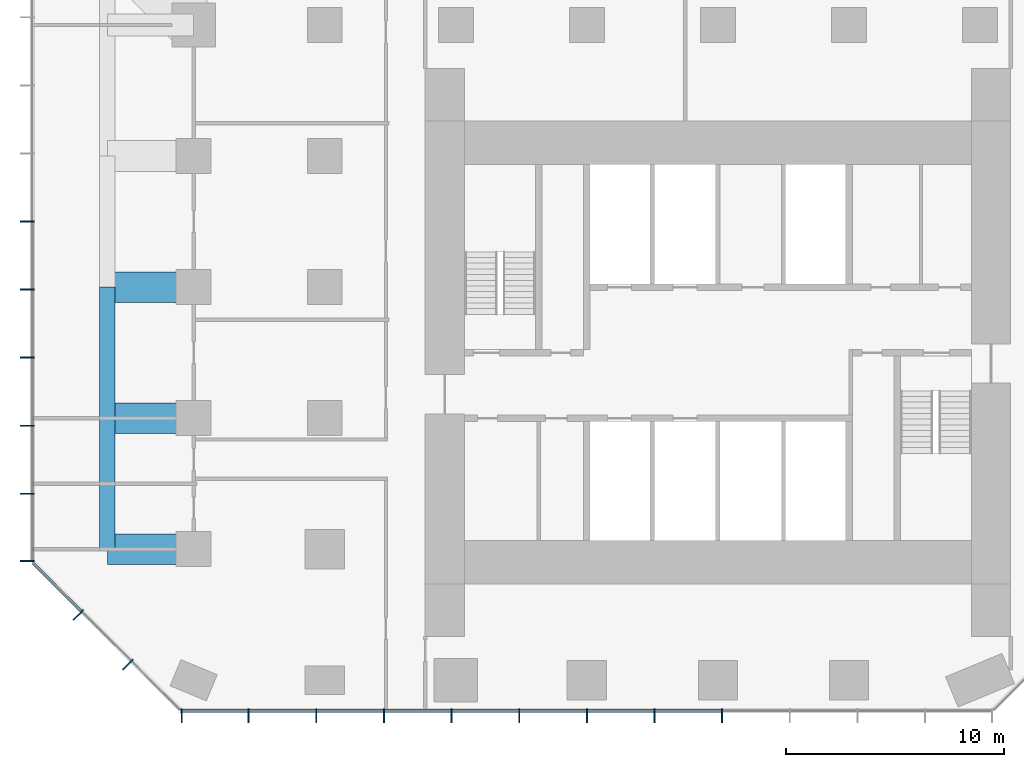
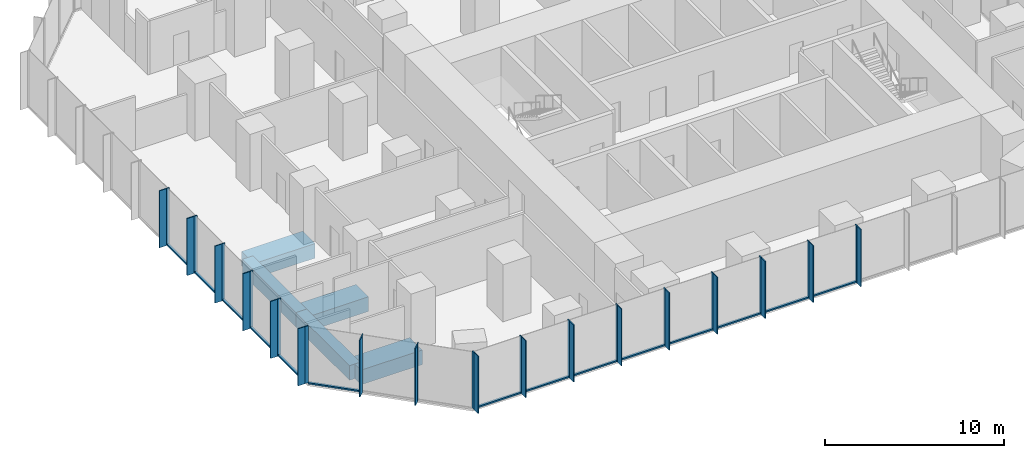
# One storey, part 2 of 12: 48 members, 5 beams, 3 elements without a shape of their own.
"""IFC4 building model written with IfcOpenShell, lengths in metres."""

import ifcopenshell
import ifcopenshell.guid

model = None  # the IFC model being written
_history = None  # IfcOwnerHistory: only IFC2X3 demands one
_inside = {}  # id of a spatial element -> (the spatial element, [elements in it])
_under = {}  # id of a project, library or spatial element -> (it, [spatial elements below it])
_declared = {}  # id of a project -> (the project, [libraries it declares])
_typed = {}  # id of a type object -> (the type object, [elements of that type])
_made_of = {}  # id of a material, layer set ... -> (it, [elements and type objects made of it])


def new_model(schema):
    """Start an empty IFC model of exactly this schema.

    Asked for "IFC4X3", IfcOpenShell would pick the latest addendum, in which some entities
    have other attributes; the version numbers below select the first issue.
    IFC2X3 requires an IfcOwnerHistory on every rooted entity: one is made here for all.
    """
    global model, _history
    if schema == "IFC4X3":
        model = ifcopenshell.file(schema_version=(4, 3, 0, 0))
    else:
        model = ifcopenshell.file(schema=schema)
    _inside.clear()
    _under.clear()
    _declared.clear()
    _typed.clear()
    _made_of.clear()
    _history = None
    if model.schema == "IFC2X3":
        org = make("IfcOrganization", Name="unknown")
        user = make(
            "IfcPersonAndOrganization",
            ThePerson=make("IfcPerson", FamilyName="unknown"),
            TheOrganization=org,
        )
        app = make(
            "IfcApplication",
            ApplicationDeveloper=org,
            Version="unknown",
            ApplicationFullName="unknown",
            ApplicationIdentifier="unknown",
        )
        _history = make(
            "IfcOwnerHistory",
            OwningUser=user,
            OwningApplication=app,
            ChangeAction="ADDED",
            CreationDate=0,
        )
    return model


def make(cls, **values):
    """One entity of the class cls with the attributes given. An attribute that is None is left unset."""
    return model.create_entity(
        cls, **{name: value for name, value in values.items() if value is not None}
    )


def rooted(cls, **values):
    """An entity with a GlobalId (a new one), such as an element, a storey or a relation."""
    return make(cls, GlobalId=ifcopenshell.guid.new(), OwnerHistory=_history, **values)


def si_unit(unit_type, name, prefix=None):
    """IfcSIUnit, for example si_unit("LENGTHUNIT", "METRE", prefix="MILLI")."""
    return make("IfcSIUnit", UnitType=unit_type, Prefix=prefix, Name=name)


def assignment(units):
    """IfcUnitAssignment: the units of a project."""
    return None if units is None else make("IfcUnitAssignment", Units=units)


def point(xyz):
    """IfcCartesianPoint."""
    return None if xyz is None else make("IfcCartesianPoint", Coordinates=xyz)


def direction(xyz):
    """IfcDirection."""
    return None if xyz is None else make("IfcDirection", DirectionRatios=xyz)


def frame(location, z_axis=None, x_axis=None):
    """IfcAxis2Placement3D, a coordinate frame: its origin and axes. An axis left out is left unset."""
    return make(
        "IfcAxis2Placement3D",
        Location=point(location),
        Axis=direction(z_axis),
        RefDirection=direction(x_axis),
    )


def frame_2d(location, x_axis=None):
    """IfcAxis2Placement2D, a coordinate frame in the plane: its origin and x axis."""
    return make(
        "IfcAxis2Placement2D", Location=point(location), RefDirection=direction(x_axis)
    )


def origin():
    """The frame at (0, 0, 0) with its axes left unset."""
    return frame((0.0, 0.0, 0.0))


def origin_2d():
    """The frame at (0, 0) in the plane with its x axis left unset."""
    return frame_2d((0.0, 0.0))


def place(relative_to, where):
    """IfcLocalPlacement: puts the frame where relative to a parent placement (None: the world)."""
    return make(
        "IfcLocalPlacement", PlacementRelTo=relative_to, RelativePlacement=where
    )


def context(
    kind, dimensions, precision=None, world=None, true_north=None, identifier=None
):
    """IfcGeometricRepresentationContext, for example the 3D "Model" context."""
    return make(
        "IfcGeometricRepresentationContext",
        ContextIdentifier=identifier,
        ContextType=kind,
        CoordinateSpaceDimension=dimensions,
        Precision=precision,
        WorldCoordinateSystem=world,
        TrueNorth=true_north,
    )


def subcontext(parent, identifier, kind, view, scale=None):
    """IfcGeometricRepresentationSubContext, for example "Body" below "Model"."""
    return make(
        "IfcGeometricRepresentationSubContext",
        ContextIdentifier=identifier,
        ContextType=kind,
        ParentContext=parent,
        TargetScale=scale,
        TargetView=view,
    )


def project(units=None, contexts=None):
    """IfcProject with its units and contexts."""
    return rooted(
        "IfcProject",
        Name="project",
        RepresentationContexts=contexts,
        UnitsInContext=assignment(units),
    )


def spatial(cls, under=None, at=None, **own):
    """A site, building, storey or space (cls), placed at a placement, below another one or the project."""
    s = rooted(cls, ObjectPlacement=at, **own)
    if under is not None:
        _under.setdefault(under.id(), (under, []))[1].append(s)
    return s


def profile(cls, at=None, kind="AREA", **sizes):
    """A parametric profile (cls). Its sizes go by their IFC names, for example OverallWidth=200.0."""
    return make(cls, ProfileType=kind, Position=at, **sizes)


def rectangle(**sizes):
    """IfcRectangleProfileDef."""
    return profile("IfcRectangleProfileDef", **sizes)


def extrude(swept, where, along, depth):
    """IfcExtrudedAreaSolid: the profile swept, set in the frame where, extruded along a direction by depth."""
    return make(
        "IfcExtrudedAreaSolid",
        SweptArea=swept,
        Position=where,
        ExtrudedDirection=direction(along),
        Depth=depth,
    )


def shape(context_of_items, identifier, shape_type, items):
    """IfcShapeRepresentation: the items that make up one representation, for example the "Body"."""
    return make(
        "IfcShapeRepresentation",
        ContextOfItems=context_of_items,
        RepresentationIdentifier=identifier,
        RepresentationType=shape_type,
        Items=items,
    )


def material(Name=None, Category=None):
    """IfcMaterial."""
    return make("IfcMaterial", Name=Name, Category=Category)


def layer(
    of_material, thickness, ventilated=None, Name=None, Category=None, Priority=None
):
    """IfcMaterialLayer: one layer of a wall or slab, of a material (None: an air gap)."""
    return make(
        "IfcMaterialLayer",
        Material=of_material,
        LayerThickness=thickness,
        IsVentilated=ventilated,
        Name=Name,
        Category=Category,
        Priority=Priority,
    )


def layer_set(layers, Name=None):
    """IfcMaterialLayerSet."""
    return make("IfcMaterialLayerSet", MaterialLayers=layers, LayerSetName=Name)


def material_profile(
    of_material, cross_section, Name=None, Category=None, Priority=None
):
    """IfcMaterialProfile: a cross section and its material."""
    return make(
        "IfcMaterialProfile",
        Name=Name,
        Material=of_material,
        Profile=cross_section,
        Priority=Priority,
        Category=Category,
    )


def profile_set(profiles, Name=None, composite=None):
    """IfcMaterialProfileSet."""
    return make(
        "IfcMaterialProfileSet",
        Name=Name,
        MaterialProfiles=profiles,
        CompositeProfile=composite,
    )


def made_of(thing, what):
    """Note that an element or type object is made of a material, layer set ...; save() writes the relation."""
    if what is not None:
        _made_of.setdefault(what.id(), (what, []))[1].append(thing)
    return thing


def type_object(cls, material=None, **own):
    """A type object (cls), such as IfcWallType, which elements share."""
    return made_of(rooted(cls, **own), material)


def element(
    cls,
    number,
    at=None,
    inside=None,
    cuts=None,
    type_object=None,
    material=None,
    context=None,
    identifier="Body",
    shape_type=None,
    held_by="IfcProductDefinitionShape",
    body=None,
    shapes=None,
    **own,
):
    """One element of the class cls, such as IfcWall. Its Tag is "e" and its number.

    at: its placement. inside: the storey or other place that contains it. cuts: it is an
    opening in that element (IfcRelVoidsElement). A single representation is given by context,
    identifier, shape_type and body (its items); several are given by shapes. held_by: the class
    of the entity that holds the representations. save() writes the other relations.
    """
    e = rooted(cls, Tag="e%d" % number, ObjectPlacement=at, **own)
    if body is not None:
        shapes = [shape(context, identifier, shape_type, body)]
    if shapes is not None:
        e.Representation = make(held_by, Representations=shapes)
    if inside is not None:
        _inside.setdefault(inside.id(), (inside, []))[1].append(e)
    if cuts is not None:
        rooted(
            "IfcRelVoidsElement", RelatingBuildingElement=cuts, RelatedOpeningElement=e
        )
    if type_object is not None:
        _typed.setdefault(type_object.id(), (type_object, []))[1].append(e)
    return made_of(e, material)


def aggregate(whole, parts):
    """IfcRelAggregates: a whole, such as a stair, and the parts it consists of."""
    return rooted("IfcRelAggregates", RelatingObject=whole, RelatedObjects=parts)


def save(model, path):
    """Write the relations noted so far, then the file.

    IfcRelAggregates (storeys below a building ...), IfcRelContainedInSpatialStructure (elements
    in a storey), IfcRelDefinesByType, IfcRelAssociatesMaterial and IfcRelDeclares: one each for
    every whole, place, type object, material and project.
    """
    for whole, parts in _under.values():
        aggregate(whole, parts)
    for where, things in _inside.values():
        rooted(
            "IfcRelContainedInSpatialStructure",
            RelatedElements=things,
            RelatingStructure=where,
        )
    for kind, things in _typed.values():
        rooted("IfcRelDefinesByType", RelatedObjects=things, RelatingType=kind)
    for what, things in _made_of.values():
        rooted("IfcRelAssociatesMaterial", RelatedObjects=things, RelatingMaterial=what)
    for by, libraries in _declared.values():
        rooted("IfcRelDeclares", RelatingContext=by, RelatedDefinitions=libraries)
    model.write(path)


model = new_model("IFC4")

# Units and contexts
model_context = context("Model", 3, precision=1e-05, world=origin(), true_north=direction((0.0, 1.0)))
body_context = subcontext(model_context, "Body", "Model", "MODEL_VIEW")
ifc_project = project(units=[si_unit("LENGTHUNIT", "METRE"), si_unit("AREAUNIT", "SQUARE_METRE"), si_unit("VOLUMEUNIT", "CUBIC_METRE"), si_unit("PLANEANGLEUNIT", "RADIAN"), si_unit("MASSUNIT", "GRAM", prefix="KILO")], contexts=[model_context])

# Site, building, storey
site_placement = place(None, origin())
site = spatial("IfcSite", under=ifc_project, at=site_placement, CompositionType="ELEMENT")
building_placement = place(site_placement, origin())
building = spatial("IfcBuilding", under=site, at=building_placement, Name="Highveld Stack Headquarters", CompositionType="ELEMENT")
storey_placement = place(building_placement, frame((0.0, 0.0, 101.60009765625)))
storey = spatial("IfcBuildingStorey", under=building, at=storey_placement, Name="L24", CompositionType="ELEMENT", Elevation=101.60009765625)

# Beams
ifc_material_1 = material(Name="Concrete C60/75", Category="concrete")
ifc_material_profile_1 = material_profile(ifc_material_1, rectangle(XDim=1.39990234375, YDim=1.0, at=origin_2d()), Name="RC 1400x1000")
ifc_profile_set_1 = profile_set([ifc_material_profile_1], Name="Concrete C60/75")
beam_type_1 = type_object("IfcBeamType", Name="CANTILEVER RIB RC 1400x1000", PredefinedType="USERDEFINED", material=ifc_profile_set_1)
for number, where, z_axis, x_axis, name in (
    (1, (-18.0, -6.0, -0.75), (-1.0, 0.0, 0.0), (0.0, -1.0, 0.0), "Cantilever rib 3/D L24"),
    (2, (-18.0, 0.0, -0.75), (-1.0, 0.0, 0.0), (0.0, -1.0, 0.0), "Cantilever rib 3/E L24"),
    (3, (-18.0, 6.0, -0.75), (-1.0, 0.0, 0.0), (0.0, -1.0, 0.0), "Cantilever rib 3/F L24"),
):
    element("IfcBeam", number, at=place(storey_placement, frame(where, z_axis=z_axis, x_axis=x_axis)), inside=storey, type_object=beam_type_1, Name=name, ObjectType="CANTILEVER RIB", PredefinedType="USERDEFINED", context=body_context, shape_type="SweptSolid", body=[
        extrude(rectangle(XDim=1.39990234375, YDim=1.0, at=origin_2d()), origin(), (0.0, 0.0, 1.0), 3.949951171875),
    ])

# Curtain wall, members
ifc_material_2 = material(Name="Aluminium bronze anodised", Category="aluminium")
ifc_layer_1 = layer(ifc_material_2, 0.199951171875)
ifc_layer_set_1 = layer_set([ifc_layer_1], Name="Aluminium bronze anodised")
curtain_wall_type_1 = type_object("IfcCurtainWallType", Name="CW1 TOWER UNITISED CURTAIN WALL", PredefinedType="NOTDEFINED", material=ifc_layer_set_1)
curtain_wall_1_placement = place(storey_placement, origin())
curtain_wall_1 = element("IfcCurtainWall", 4, at=curtain_wall_1_placement, inside=storey, type_object=curtain_wall_type_1, Name="Curtain wall CW1 L24 S", PredefinedType="NOTDEFINED")
ifc_material_3 = material(Name="Aluminium bronze anodised", Category="aluminium")
ifc_material_profile_2 = material_profile(ifc_material_3, rectangle(XDim=0.449951171875, YDim=0.06005859375, at=origin_2d()), Name="FIN 450x60")
ifc_profile_set_2 = profile_set([ifc_material_profile_2], Name="Aluminium bronze anodised")
member_type_1 = type_object("IfcMemberType", Name="CW1 BRONZE FIN 450x60", PredefinedType="USERDEFINED", material=ifc_profile_set_2)
member_1_placement = place(storey_placement, frame((-18.54736328125, -13.72509765625, 0.0), z_axis=(0.0, 0.0, 1.0), x_axis=(0.0, 1.0, 0.0)))
member_1 = element("IfcMember", 5, at=member_1_placement, type_object=member_type_1, Name="CW1 fin L24 1", ObjectType="FIN", PredefinedType="USERDEFINED", context=body_context, shape_type="SweptSolid", body=[
    extrude(rectangle(XDim=0.449951171875, YDim=0.06005859375, at=origin_2d()), origin(), (0.0, 0.0, 1.0), 3.89990234375),
])
member_2_placement = place(storey_placement, frame((-15.483154296875, -13.72509765625, 0.0), z_axis=(0.0, 0.0, 1.0), x_axis=(0.0, 1.0, 0.0)))
member_2 = element("IfcMember", 6, at=member_2_placement, type_object=member_type_1, Name="CW1 fin L24 2", ObjectType="FIN", PredefinedType="USERDEFINED", context=body_context, shape_type="SweptSolid", body=[
    extrude(rectangle(XDim=0.449951171875, YDim=0.06005859375, at=origin_2d()), origin(), (0.0, 0.0, 1.0), 3.89990234375),
])
member_3_placement = place(storey_placement, frame((-12.38671875, -13.72509765625, 0.0), z_axis=(0.0, 0.0, 1.0), x_axis=(0.0, 1.0, 0.0)))
member_3 = element("IfcMember", 7, at=member_3_placement, type_object=member_type_1, Name="CW1 fin L24 3", ObjectType="FIN", PredefinedType="USERDEFINED", context=body_context, shape_type="SweptSolid", body=[
    extrude(rectangle(XDim=0.449951171875, YDim=0.06005859375, at=origin_2d()), origin(), (0.0, 0.0, 1.0), 3.89990234375),
])
member_4_placement = place(storey_placement, frame((-9.289794921875, -13.72509765625, 0.0), z_axis=(0.0, 0.0, 1.0), x_axis=(0.0, 1.0, 0.0)))
member_4 = element("IfcMember", 8, at=member_4_placement, type_object=member_type_1, Name="CW1 fin L24 4", ObjectType="FIN", PredefinedType="USERDEFINED", context=body_context, shape_type="SweptSolid", body=[
    extrude(rectangle(XDim=0.449951171875, YDim=0.06005859375, at=origin_2d()), origin(), (0.0, 0.0, 1.0), 3.89990234375),
])
member_5_placement = place(storey_placement, frame((-6.193359375, -13.72509765625, 0.0), z_axis=(0.0, 0.0, 1.0), x_axis=(0.0, 1.0, 0.0)))
member_5 = element("IfcMember", 9, at=member_5_placement, type_object=member_type_1, Name="CW1 fin L24 5", ObjectType="FIN", PredefinedType="USERDEFINED", context=body_context, shape_type="SweptSolid", body=[
    extrude(rectangle(XDim=0.449951171875, YDim=0.06005859375, at=origin_2d()), origin(), (0.0, 0.0, 1.0), 3.89990234375),
])
member_6_placement = place(storey_placement, frame((-3.0966796875, -13.72509765625, 0.0), z_axis=(0.0, 0.0, 1.0), x_axis=(0.0, 1.0, 0.0)))
member_6 = element("IfcMember", 10, at=member_6_placement, type_object=member_type_1, Name="CW1 fin L24 6", ObjectType="FIN", PredefinedType="USERDEFINED", context=body_context, shape_type="SweptSolid", body=[
    extrude(rectangle(XDim=0.449951171875, YDim=0.06005859375, at=origin_2d()), origin(), (0.0, 0.0, 1.0), 3.89990234375),
])
member_7_placement = place(storey_placement, frame((0.0, -13.72509765625, 0.0), z_axis=(0.0, 0.0, 1.0), x_axis=(0.0, 1.0, 0.0)))
member_7 = element("IfcMember", 11, at=member_7_placement, type_object=member_type_1, Name="CW1 fin L24 7", ObjectType="FIN", PredefinedType="USERDEFINED", context=body_context, shape_type="SweptSolid", body=[
    extrude(rectangle(XDim=0.449951171875, YDim=0.06005859375, at=origin_2d()), origin(), (0.0, 0.0, 1.0), 3.89990234375),
])
member_8_placement = place(storey_placement, frame((3.0966796875, -13.72509765625, 0.0), z_axis=(0.0, 0.0, 1.0), x_axis=(0.0, 1.0, 0.0)))
member_8 = element("IfcMember", 12, at=member_8_placement, type_object=member_type_1, Name="CW1 fin L24 8", ObjectType="FIN", PredefinedType="USERDEFINED", context=body_context, shape_type="SweptSolid", body=[
    extrude(rectangle(XDim=0.449951171875, YDim=0.06005859375, at=origin_2d()), origin(), (0.0, 0.0, 1.0), 3.89990234375),
])
member_9_placement = place(storey_placement, frame((6.193359375, -13.72509765625, 0.0), z_axis=(0.0, 0.0, 1.0), x_axis=(0.0, 1.0, 0.0)))
member_9 = element("IfcMember", 13, at=member_9_placement, type_object=member_type_1, Name="CW1 fin L24 9", ObjectType="FIN", PredefinedType="USERDEFINED", context=body_context, shape_type="SweptSolid", body=[
    extrude(rectangle(XDim=0.449951171875, YDim=0.06005859375, at=origin_2d()), origin(), (0.0, 0.0, 1.0), 3.89990234375),
])

curtain_wall_2_placement = place(storey_placement, origin())
curtain_wall_2 = element("IfcCurtainWall", 14, at=curtain_wall_2_placement, inside=storey, type_object=curtain_wall_type_1, Name="Curtain wall CW1 L24 W", PredefinedType="NOTDEFINED")
member_10_placement = place(storey_placement, frame((-25.72509765625, 9.0, 0.0), z_axis=(0.0, 0.0, 1.0), x_axis=(1.0, 0.0, 0.0)))
member_10 = element("IfcMember", 15, at=member_10_placement, type_object=member_type_1, Name="CW1 fin L24 6", ObjectType="FIN", PredefinedType="USERDEFINED", context=body_context, shape_type="SweptSolid", body=[
    extrude(rectangle(XDim=0.449951171875, YDim=0.06005859375, at=origin_2d()), origin(), (0.0, 0.0, 1.0), 3.89990234375),
])
member_11_placement = place(storey_placement, frame((-25.72509765625, 5.884033203125, 0.0), z_axis=(0.0, 0.0, 1.0), x_axis=(1.0, 0.0, 0.0)))
member_11 = element("IfcMember", 16, at=member_11_placement, type_object=member_type_1, Name="CW1 fin L24 7", ObjectType="FIN", PredefinedType="USERDEFINED", context=body_context, shape_type="SweptSolid", body=[
    extrude(rectangle(XDim=0.449951171875, YDim=0.06005859375, at=origin_2d()), origin(), (0.0, 0.0, 1.0), 3.89990234375),
])
member_12_placement = place(storey_placement, frame((-25.72509765625, 2.76806640625, 0.0), z_axis=(0.0, 0.0, 1.0), x_axis=(1.0, 0.0, 0.0)))
member_12 = element("IfcMember", 17, at=member_12_placement, type_object=member_type_1, Name="CW1 fin L24 8", ObjectType="FIN", PredefinedType="USERDEFINED", context=body_context, shape_type="SweptSolid", body=[
    extrude(rectangle(XDim=0.449951171875, YDim=0.06005859375, at=origin_2d()), origin(), (0.0, 0.0, 1.0), 3.89990234375),
])
member_13_placement = place(storey_placement, frame((-25.72509765625, -0.347900390625, 0.0), z_axis=(0.0, 0.0, 1.0), x_axis=(1.0, 0.0, 0.0)))
member_13 = element("IfcMember", 18, at=member_13_placement, type_object=member_type_1, Name="CW1 fin L24 9", ObjectType="FIN", PredefinedType="USERDEFINED", context=body_context, shape_type="SweptSolid", body=[
    extrude(rectangle(XDim=0.449951171875, YDim=0.06005859375, at=origin_2d()), origin(), (0.0, 0.0, 1.0), 3.89990234375),
])
member_14_placement = place(storey_placement, frame((-25.72509765625, -3.4638671875, 0.0), z_axis=(0.0, 0.0, 1.0), x_axis=(1.0, 0.0, 0.0)))
member_14 = element("IfcMember", 19, at=member_14_placement, type_object=member_type_1, Name="CW1 fin L24 10", ObjectType="FIN", PredefinedType="USERDEFINED", context=body_context, shape_type="SweptSolid", body=[
    extrude(rectangle(XDim=0.449951171875, YDim=0.06005859375, at=origin_2d()), origin(), (0.0, 0.0, 1.0), 3.89990234375),
])
member_15_placement = place(storey_placement, frame((-25.72509765625, -6.54736328125, 0.0), z_axis=(0.0, 0.0, 1.0), x_axis=(1.0, 0.0, 0.0)))
member_15 = element("IfcMember", 20, at=member_15_placement, type_object=member_type_1, Name="CW1 fin L24 11", ObjectType="FIN", PredefinedType="USERDEFINED", context=body_context, shape_type="SweptSolid", body=[
    extrude(rectangle(XDim=0.449951171875, YDim=0.06005859375, at=origin_2d()), origin(), (0.0, 0.0, 1.0), 3.89990234375),
])

# Member
ifc_material_4 = material(Name="Aluminium bronze anodised", Category="aluminium")
ifc_material_profile_3 = material_profile(ifc_material_4, rectangle(XDim=0.199951171875, YDim=0.06494140625, at=origin_2d()), Name="CW1 MULLION 65x200")
ifc_profile_set_3 = profile_set([ifc_material_profile_3], Name="Aluminium bronze anodised")
member_type_2 = type_object("IfcMemberType", Name="CW1 MULLION 65x200", PredefinedType="MULLION", material=ifc_profile_set_3)
member_16_placement = place(storey_placement, frame((-18.54736328125, -13.39990234375, 0.0), z_axis=(0.0, 0.0, 1.0), x_axis=(0.0, 1.0, 0.0)))
member_16 = element("IfcMember", 21, at=member_16_placement, type_object=member_type_2, Name="CW1 mullion L24 1", PredefinedType="MULLION", context=body_context, shape_type="SweptSolid", body=[
    extrude(rectangle(XDim=0.199951171875, YDim=0.06494140625, at=origin_2d()), origin(), (0.0, 0.0, 1.0), 3.89990234375),
])

member_17_placement = place(storey_placement, frame((-15.483154296875, -13.39990234375, 0.0), z_axis=(0.0, 0.0, 1.0), x_axis=(0.0, 1.0, 0.0)))
member_17 = element("IfcMember", 22, at=member_17_placement, type_object=member_type_2, Name="CW1 mullion L24 2", PredefinedType="MULLION", context=body_context, shape_type="SweptSolid", body=[
    extrude(rectangle(XDim=0.199951171875, YDim=0.06494140625, at=origin_2d()), origin(), (0.0, 0.0, 1.0), 3.89990234375),
])

member_18_placement = place(storey_placement, frame((-12.38671875, -13.39990234375, 0.0), z_axis=(0.0, 0.0, 1.0), x_axis=(0.0, 1.0, 0.0)))
member_18 = element("IfcMember", 23, at=member_18_placement, type_object=member_type_2, Name="CW1 mullion L24 3", PredefinedType="MULLION", context=body_context, shape_type="SweptSolid", body=[
    extrude(rectangle(XDim=0.199951171875, YDim=0.06494140625, at=origin_2d()), origin(), (0.0, 0.0, 1.0), 3.89990234375),
])

member_19_placement = place(storey_placement, frame((-9.289794921875, -13.39990234375, 0.0), z_axis=(0.0, 0.0, 1.0), x_axis=(0.0, 1.0, 0.0)))
member_19 = element("IfcMember", 24, at=member_19_placement, type_object=member_type_2, Name="CW1 mullion L24 4", PredefinedType="MULLION", context=body_context, shape_type="SweptSolid", body=[
    extrude(rectangle(XDim=0.199951171875, YDim=0.06494140625, at=origin_2d()), origin(), (0.0, 0.0, 1.0), 3.89990234375),
])

member_20_placement = place(storey_placement, frame((-6.193359375, -13.39990234375, 0.0), z_axis=(0.0, 0.0, 1.0), x_axis=(0.0, 1.0, 0.0)))
member_20 = element("IfcMember", 25, at=member_20_placement, type_object=member_type_2, Name="CW1 mullion L24 5", PredefinedType="MULLION", context=body_context, shape_type="SweptSolid", body=[
    extrude(rectangle(XDim=0.199951171875, YDim=0.06494140625, at=origin_2d()), origin(), (0.0, 0.0, 1.0), 3.89990234375),
])

member_21_placement = place(storey_placement, frame((-3.0966796875, -13.39990234375, 0.0), z_axis=(0.0, 0.0, 1.0), x_axis=(0.0, 1.0, 0.0)))
member_21 = element("IfcMember", 26, at=member_21_placement, type_object=member_type_2, Name="CW1 mullion L24 6", PredefinedType="MULLION", context=body_context, shape_type="SweptSolid", body=[
    extrude(rectangle(XDim=0.199951171875, YDim=0.06494140625, at=origin_2d()), origin(), (0.0, 0.0, 1.0), 3.89990234375),
])

member_22_placement = place(storey_placement, frame((0.0, -13.39990234375, 0.0), z_axis=(0.0, 0.0, 1.0), x_axis=(0.0, 1.0, 0.0)))
member_22 = element("IfcMember", 27, at=member_22_placement, type_object=member_type_2, Name="CW1 mullion L24 7", PredefinedType="MULLION", context=body_context, shape_type="SweptSolid", body=[
    extrude(rectangle(XDim=0.199951171875, YDim=0.06494140625, at=origin_2d()), origin(), (0.0, 0.0, 1.0), 3.89990234375),
])

member_23_placement = place(storey_placement, frame((3.0966796875, -13.39990234375, 0.0), z_axis=(0.0, 0.0, 1.0), x_axis=(0.0, 1.0, 0.0)))
member_23 = element("IfcMember", 28, at=member_23_placement, type_object=member_type_2, Name="CW1 mullion L24 8", PredefinedType="MULLION", context=body_context, shape_type="SweptSolid", body=[
    extrude(rectangle(XDim=0.199951171875, YDim=0.06494140625, at=origin_2d()), origin(), (0.0, 0.0, 1.0), 3.89990234375),
])

member_24_placement = place(storey_placement, frame((6.193359375, -13.39990234375, 0.0), z_axis=(0.0, 0.0, 1.0), x_axis=(0.0, 1.0, 0.0)))
member_24 = element("IfcMember", 29, at=member_24_placement, type_object=member_type_2, Name="CW1 mullion L24 9", PredefinedType="MULLION", context=body_context, shape_type="SweptSolid", body=[
    extrude(rectangle(XDim=0.199951171875, YDim=0.06494140625, at=origin_2d()), origin(), (0.0, 0.0, 1.0), 3.89990234375),
])

member_25_placement = place(storey_placement, frame((-25.39990234375, 9.0, 0.0), z_axis=(0.0, 0.0, 1.0), x_axis=(1.0, 0.0, 0.0)))
member_25 = element("IfcMember", 30, at=member_25_placement, type_object=member_type_2, Name="CW1 mullion L24 6", PredefinedType="MULLION", context=body_context, shape_type="SweptSolid", body=[
    extrude(rectangle(XDim=0.199951171875, YDim=0.06494140625, at=origin_2d()), origin(), (0.0, 0.0, 1.0), 3.89990234375),
])

member_26_placement = place(storey_placement, frame((-25.39990234375, 5.884033203125, 0.0), z_axis=(0.0, 0.0, 1.0), x_axis=(1.0, 0.0, 0.0)))
member_26 = element("IfcMember", 31, at=member_26_placement, type_object=member_type_2, Name="CW1 mullion L24 7", PredefinedType="MULLION", context=body_context, shape_type="SweptSolid", body=[
    extrude(rectangle(XDim=0.199951171875, YDim=0.06494140625, at=origin_2d()), origin(), (0.0, 0.0, 1.0), 3.89990234375),
])

member_27_placement = place(storey_placement, frame((-25.39990234375, 2.76806640625, 0.0), z_axis=(0.0, 0.0, 1.0), x_axis=(1.0, 0.0, 0.0)))
member_27 = element("IfcMember", 32, at=member_27_placement, type_object=member_type_2, Name="CW1 mullion L24 8", PredefinedType="MULLION", context=body_context, shape_type="SweptSolid", body=[
    extrude(rectangle(XDim=0.199951171875, YDim=0.06494140625, at=origin_2d()), origin(), (0.0, 0.0, 1.0), 3.89990234375),
])

member_28_placement = place(storey_placement, frame((-25.39990234375, -0.347900390625, 0.0), z_axis=(0.0, 0.0, 1.0), x_axis=(1.0, 0.0, 0.0)))
member_28 = element("IfcMember", 33, at=member_28_placement, type_object=member_type_2, Name="CW1 mullion L24 9", PredefinedType="MULLION", context=body_context, shape_type="SweptSolid", body=[
    extrude(rectangle(XDim=0.199951171875, YDim=0.06494140625, at=origin_2d()), origin(), (0.0, 0.0, 1.0), 3.89990234375),
])

member_29_placement = place(storey_placement, frame((-25.39990234375, -3.4638671875, 0.0), z_axis=(0.0, 0.0, 1.0), x_axis=(1.0, 0.0, 0.0)))
member_29 = element("IfcMember", 34, at=member_29_placement, type_object=member_type_2, Name="CW1 mullion L24 10", PredefinedType="MULLION", context=body_context, shape_type="SweptSolid", body=[
    extrude(rectangle(XDim=0.199951171875, YDim=0.06494140625, at=origin_2d()), origin(), (0.0, 0.0, 1.0), 3.89990234375),
])

member_30_placement = place(storey_placement, frame((-25.39990234375, -6.54736328125, 0.0), z_axis=(0.0, 0.0, 1.0), x_axis=(1.0, 0.0, 0.0)))
member_30 = element("IfcMember", 35, at=member_30_placement, type_object=member_type_2, Name="CW1 mullion L24 11", PredefinedType="MULLION", context=body_context, shape_type="SweptSolid", body=[
    extrude(rectangle(XDim=0.199951171875, YDim=0.06494140625, at=origin_2d()), origin(), (0.0, 0.0, 1.0), 3.89990234375),
])

ifc_material_5 = material(Name="Aluminium bronze anodised", Category="aluminium")
ifc_material_profile_4 = material_profile(ifc_material_5, rectangle(XDim=0.14990234375, YDim=0.10009765625, at=origin_2d()), Name="CW1 TRANSOM 150x100")
ifc_profile_set_4 = profile_set([ifc_material_profile_4], Name="Aluminium bronze anodised")
member_type_3 = type_object("IfcMemberType", Name="CW1 STACK TRANSOM 150x100", PredefinedType="USERDEFINED", material=ifc_profile_set_4)
member_31_placement = place(storey_placement, frame((-18.514892578125, -13.39990234375, 0.0498046875), z_axis=(1.0, 0.0, 0.0), x_axis=(0.0, 1.0, 0.0)))
member_31 = element("IfcMember", 36, at=member_31_placement, type_object=member_type_3, Name="CW1 transom L24 1.1", ObjectType="TRANSOM", PredefinedType="USERDEFINED", context=body_context, shape_type="SweptSolid", body=[
    extrude(rectangle(XDim=0.14990234375, YDim=0.10009765625, at=origin_2d()), origin(), (0.0, 0.0, 1.0), 2.999267578125),
])

member_32_placement = place(storey_placement, frame((-15.45068359375, -13.39990234375, 0.0498046875), z_axis=(1.0, 0.0, 0.0), x_axis=(0.0, 1.0, 0.0)))
member_32 = element("IfcMember", 37, at=member_32_placement, type_object=member_type_3, Name="CW1 transom L24 2.1", ObjectType="TRANSOM", PredefinedType="USERDEFINED", context=body_context, shape_type="SweptSolid", body=[
    extrude(rectangle(XDim=0.14990234375, YDim=0.10009765625, at=origin_2d()), origin(), (0.0, 0.0, 1.0), 3.031494140625),
])

member_33_placement = place(storey_placement, frame((-12.35400390625, -13.39990234375, 0.0498046875), z_axis=(1.0, 0.0, 0.0), x_axis=(0.0, 1.0, 0.0)))
member_33 = element("IfcMember", 38, at=member_33_placement, type_object=member_type_3, Name="CW1 transom L24 3.1", ObjectType="TRANSOM", PredefinedType="USERDEFINED", context=body_context, shape_type="SweptSolid", body=[
    extrude(rectangle(XDim=0.14990234375, YDim=0.10009765625, at=origin_2d()), origin(), (0.0, 0.0, 1.0), 3.031494140625),
])

member_34_placement = place(storey_placement, frame((-9.25732421875, -13.39990234375, 0.0498046875), z_axis=(1.0, 0.0, 0.0), x_axis=(0.0, 1.0, 0.0)))
member_34 = element("IfcMember", 39, at=member_34_placement, type_object=member_type_3, Name="CW1 transom L24 4.1", ObjectType="TRANSOM", PredefinedType="USERDEFINED", context=body_context, shape_type="SweptSolid", body=[
    extrude(rectangle(XDim=0.14990234375, YDim=0.10009765625, at=origin_2d()), origin(), (0.0, 0.0, 1.0), 3.031494140625),
])

member_35_placement = place(storey_placement, frame((-6.160888671875, -13.39990234375, 0.0498046875), z_axis=(1.0, 0.0, 0.0), x_axis=(0.0, 1.0, 0.0)))
member_35 = element("IfcMember", 40, at=member_35_placement, type_object=member_type_3, Name="CW1 transom L24 5.1", ObjectType="TRANSOM", PredefinedType="USERDEFINED", context=body_context, shape_type="SweptSolid", body=[
    extrude(rectangle(XDim=0.14990234375, YDim=0.10009765625, at=origin_2d()), origin(), (0.0, 0.0, 1.0), 3.03173828125),
])

member_36_placement = place(storey_placement, frame((-3.064208984375, -13.39990234375, 0.0498046875), z_axis=(1.0, 0.0, 0.0), x_axis=(0.0, 1.0, 0.0)))
member_36 = element("IfcMember", 41, at=member_36_placement, type_object=member_type_3, Name="CW1 transom L24 6.1", ObjectType="TRANSOM", PredefinedType="USERDEFINED", context=body_context, shape_type="SweptSolid", body=[
    extrude(rectangle(XDim=0.14990234375, YDim=0.10009765625, at=origin_2d()), origin(), (0.0, 0.0, 1.0), 3.03173828125),
])

member_37_placement = place(storey_placement, frame((0.032470703125, -13.39990234375, 0.0498046875), z_axis=(1.0, 0.0, 0.0), x_axis=(0.0, 1.0, 0.0)))
member_37 = element("IfcMember", 42, at=member_37_placement, type_object=member_type_3, Name="CW1 transom L24 7.1", ObjectType="TRANSOM", PredefinedType="USERDEFINED", context=body_context, shape_type="SweptSolid", body=[
    extrude(rectangle(XDim=0.14990234375, YDim=0.10009765625, at=origin_2d()), origin(), (0.0, 0.0, 1.0), 3.03173828125),
])

member_38_placement = place(storey_placement, frame((3.129150390625, -13.39990234375, 0.0498046875), z_axis=(1.0, 0.0, 0.0), x_axis=(0.0, 1.0, 0.0)))
member_38 = element("IfcMember", 43, at=member_38_placement, type_object=member_type_3, Name="CW1 transom L24 8.1", ObjectType="TRANSOM", PredefinedType="USERDEFINED", context=body_context, shape_type="SweptSolid", body=[
    extrude(rectangle(XDim=0.14990234375, YDim=0.10009765625, at=origin_2d()), origin(), (0.0, 0.0, 1.0), 3.03173828125),
])

aggregate(curtain_wall_1, [member_16, member_1, member_17, member_2, member_18, member_3, member_19, member_4, member_20, member_5, member_21, member_6, member_22, member_7, member_23, member_8, member_24, member_9, member_31, member_32, member_33, member_34, member_35, member_36, member_37, member_38])

member_39_placement = place(storey_placement, frame((-25.39990234375, 8.967529296875, 0.0498046875), z_axis=(0.0, -1.0, 0.0), x_axis=(1.0, 0.0, 0.0)))
member_39 = element("IfcMember", 44, at=member_39_placement, type_object=member_type_3, Name="CW1 transom L24 6.1", ObjectType="TRANSOM", PredefinedType="USERDEFINED", context=body_context, shape_type="SweptSolid", body=[
    extrude(rectangle(XDim=0.14990234375, YDim=0.10009765625, at=origin_2d()), origin(), (0.0, 0.0, 1.0), 3.051025390625),
])

member_40_placement = place(storey_placement, frame((-25.39990234375, 5.8515625, 0.0498046875), z_axis=(0.0, -1.0, 0.0), x_axis=(1.0, 0.0, 0.0)))
member_40 = element("IfcMember", 45, at=member_40_placement, type_object=member_type_3, Name="CW1 transom L24 7.1", ObjectType="TRANSOM", PredefinedType="USERDEFINED", context=body_context, shape_type="SweptSolid", body=[
    extrude(rectangle(XDim=0.14990234375, YDim=0.10009765625, at=origin_2d()), origin(), (0.0, 0.0, 1.0), 3.051025390625),
])

member_41_placement = place(storey_placement, frame((-25.39990234375, 2.735595703125, 0.0498046875), z_axis=(0.0, -1.0, 0.0), x_axis=(1.0, 0.0, 0.0)))
member_41 = element("IfcMember", 46, at=member_41_placement, type_object=member_type_3, Name="CW1 transom L24 8.1", ObjectType="TRANSOM", PredefinedType="USERDEFINED", context=body_context, shape_type="SweptSolid", body=[
    extrude(rectangle(XDim=0.14990234375, YDim=0.10009765625, at=origin_2d()), origin(), (0.0, 0.0, 1.0), 3.051025390625),
])

member_42_placement = place(storey_placement, frame((-25.39990234375, -0.38037109375, 0.0498046875), z_axis=(0.0, -1.0, 0.0), x_axis=(1.0, 0.0, 0.0)))
member_42 = element("IfcMember", 47, at=member_42_placement, type_object=member_type_3, Name="CW1 transom L24 9.1", ObjectType="TRANSOM", PredefinedType="USERDEFINED", context=body_context, shape_type="SweptSolid", body=[
    extrude(rectangle(XDim=0.14990234375, YDim=0.10009765625, at=origin_2d()), origin(), (0.0, 0.0, 1.0), 3.051025390625),
])

member_43_placement = place(storey_placement, frame((-25.39990234375, -3.496337890625, 0.0498046875), z_axis=(0.0, -1.0, 0.0), x_axis=(1.0, 0.0, 0.0)))
member_43 = element("IfcMember", 48, at=member_43_placement, type_object=member_type_3, Name="CW1 transom L24 10.1", ObjectType="TRANSOM", PredefinedType="USERDEFINED", context=body_context, shape_type="SweptSolid", body=[
    extrude(rectangle(XDim=0.14990234375, YDim=0.10009765625, at=origin_2d()), origin(), (0.0, 0.0, 1.0), 3.0185546875),
])

aggregate(curtain_wall_2, [member_25, member_10, member_26, member_11, member_27, member_12, member_28, member_13, member_29, member_14, member_30, member_15, member_39, member_40, member_41, member_42, member_43])

# Curtain wall, members
ifc_material_6 = material(Name="Aluminium bronze anodised", Category="aluminium")
ifc_layer_2 = layer(ifc_material_6, 0.199951171875)
ifc_layer_set_2 = layer_set([ifc_layer_2], Name="Aluminium bronze anodised")
curtain_wall_type_2 = type_object("IfcCurtainWallType", Name="CW2 TOWER CHAMFER UNITISED CURTAIN WALL", PredefinedType="NOTDEFINED", material=ifc_layer_set_2)
curtain_wall_3_placement = place(storey_placement, origin())
curtain_wall_3 = element("IfcCurtainWall", 49, at=curtain_wall_3_placement, inside=storey, type_object=curtain_wall_type_2, Name="Curtain wall CW2 L24 SW", PredefinedType="NOTDEFINED")
ifc_material_7 = material(Name="Aluminium bronze anodised", Category="aluminium")
ifc_material_profile_5 = material_profile(ifc_material_7, rectangle(XDim=0.449951171875, YDim=0.06005859375, at=origin_2d()), Name="FIN 450x60")
ifc_profile_set_5 = profile_set([ifc_material_profile_5], Name="Aluminium bronze anodised")
member_type_4 = type_object("IfcMemberType", Name="CW2 BRONZE FIN 450x60", PredefinedType="USERDEFINED", material=ifc_profile_set_5)
member_44_placement = place(storey_placement, frame((-23.3564453125, -9.0830078125, 0.0), z_axis=(0.0, 0.0, 1.0), x_axis=(0.707106781187, 0.707106781187, 0.0)))
member_44 = element("IfcMember", 50, at=member_44_placement, type_object=member_type_4, Name="CW2 fin L24 1", ObjectType="FIN", PredefinedType="USERDEFINED", context=body_context, shape_type="SweptSolid", body=[
    extrude(rectangle(XDim=0.449951171875, YDim=0.06005859375, at=origin_2d()), origin(), (0.0, 0.0, 1.0), 3.89990234375),
])
member_45_placement = place(storey_placement, frame((-21.0830078125, -11.3564453125, 0.0), z_axis=(0.0, 0.0, 1.0), x_axis=(0.707106781187, 0.707106781187, 0.0)))
member_45 = element("IfcMember", 51, at=member_45_placement, type_object=member_type_4, Name="CW2 fin L24 2", ObjectType="FIN", PredefinedType="USERDEFINED", context=body_context, shape_type="SweptSolid", body=[
    extrude(rectangle(XDim=0.449951171875, YDim=0.06005859375, at=origin_2d()), origin(), (0.0, 0.0, 1.0), 3.89990234375),
])
ifc_material_8 = material(Name="Aluminium bronze anodised", Category="aluminium")
ifc_material_profile_6 = material_profile(ifc_material_8, rectangle(XDim=0.199951171875, YDim=0.06494140625, at=origin_2d()), Name="CW2 MULLION 65x200")
ifc_profile_set_6 = profile_set([ifc_material_profile_6], Name="Aluminium bronze anodised")
member_type_5 = type_object("IfcMemberType", Name="CW2 MULLION 65x200", PredefinedType="MULLION", material=ifc_profile_set_6)
member_46_placement = place(storey_placement, frame((-23.126708984375, -8.853271484375, 0.0), z_axis=(0.0, 0.0, 1.0), x_axis=(0.707106781187, 0.707106781187, 0.0)))
member_46 = element("IfcMember", 52, at=member_46_placement, type_object=member_type_5, Name="CW2 mullion L24 1", PredefinedType="MULLION", context=body_context, shape_type="SweptSolid", body=[
    extrude(rectangle(XDim=0.199951171875, YDim=0.06494140625, at=origin_2d()), origin(), (0.0, 0.0, 1.0), 3.89990234375),
])
member_47_placement = place(storey_placement, frame((-20.853271484375, -11.126708984375, 0.0), z_axis=(0.0, 0.0, 1.0), x_axis=(0.707106781187, 0.707106781187, 0.0)))
member_47 = element("IfcMember", 53, at=member_47_placement, type_object=member_type_5, Name="CW2 mullion L24 2", PredefinedType="MULLION", context=body_context, shape_type="SweptSolid", body=[
    extrude(rectangle(XDim=0.199951171875, YDim=0.06494140625, at=origin_2d()), origin(), (0.0, 0.0, 1.0), 3.89990234375),
])
ifc_material_9 = material(Name="Aluminium bronze anodised", Category="aluminium")
ifc_material_profile_7 = material_profile(ifc_material_9, rectangle(XDim=0.14990234375, YDim=0.10009765625, at=origin_2d()), Name="CW2 TRANSOM 150x100")
ifc_profile_set_7 = profile_set([ifc_material_profile_7], Name="Aluminium bronze anodised")
member_type_6 = type_object("IfcMemberType", Name="CW2 STACK TRANSOM 150x100", PredefinedType="USERDEFINED", material=ifc_profile_set_7)
member_48_placement = place(storey_placement, frame((-25.329345703125, -6.650634765625, 0.0498046875), z_axis=(0.707106781187, -0.707106781187, 0.0), x_axis=(0.707106781187, 0.707106781187, 0.0)))
member_48 = element("IfcMember", 54, at=member_48_placement, type_object=member_type_6, Name="CW2 transom L24 1.1", ObjectType="TRANSOM", PredefinedType="USERDEFINED", context=body_context, shape_type="SweptSolid", body=[
    extrude(rectangle(XDim=0.14990234375, YDim=0.10009765625, at=origin_2d()), origin(), (0.0, 0.0, 1.0), 3.08251953125),
])
aggregate(curtain_wall_3, [member_46, member_44, member_47, member_45, member_48])

# Beams
ifc_material_10 = material(Name="Concrete C60/75", Category="concrete")
ifc_material_profile_8 = material_profile(ifc_material_10, rectangle(XDim=0.699951171875, YDim=1.0, at=origin_2d()), Name="RC 700x1000")
ifc_profile_set_8 = profile_set([ifc_material_profile_8], Name="Concrete C60/75")
beam_type_2 = type_object("IfcBeamType", Name="RIB TIP BEAM RC 700x1000", PredefinedType="SPANDREL", material=ifc_profile_set_8)
for number, where, z_axis, x_axis, name in (
    (55, (-21.949951171875, -6.0, -0.75), (0.0, 1.0, 0.0), (-1.0, 0.0, 0.0), "Rib tip beam 3/D to 3/E L24"),
    (56, (-21.949951171875, 0.0, -0.75), (0.0, 1.0, 0.0), (-1.0, 0.0, 0.0), "Rib tip beam 3/E to 3/F L24"),
):
    element("IfcBeam", number, at=place(storey_placement, frame(where, z_axis=z_axis, x_axis=x_axis)), inside=storey, type_object=beam_type_2, Name=name, PredefinedType="SPANDREL", context=body_context, shape_type="SweptSolid", body=[
        extrude(rectangle(XDim=0.699951171875, YDim=1.0, at=origin_2d()), origin(), (0.0, 0.0, 1.0), 6.0),
    ])

save(model, "model.ifc")
